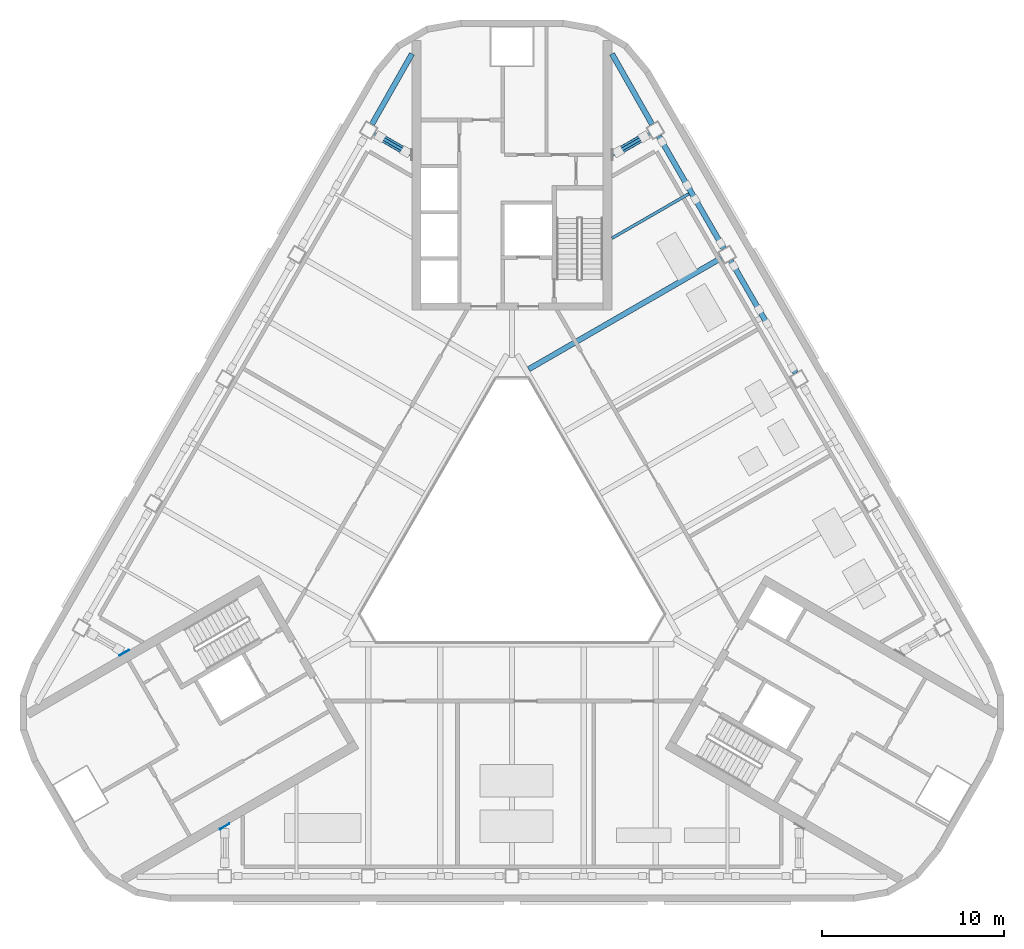
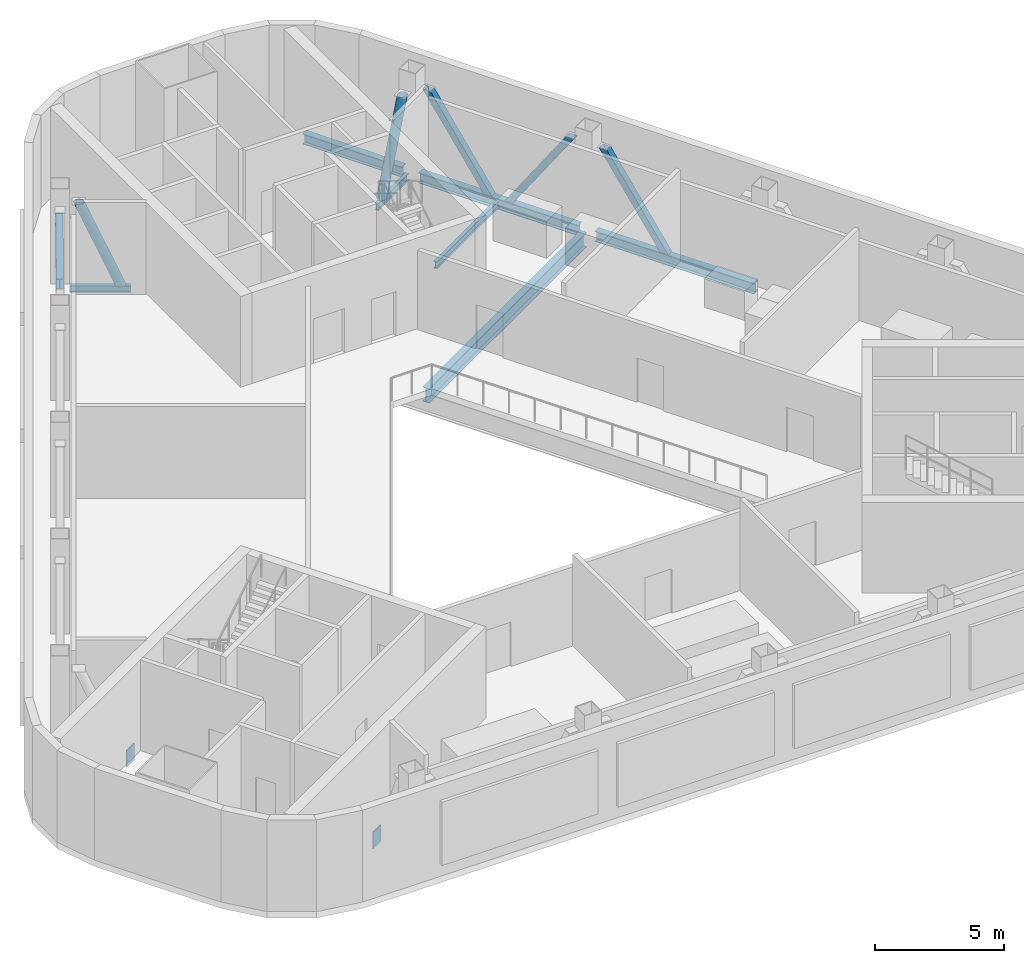
# One storey, part 3 of 14: 8 beams, 5 members, 2 plates.
"""IFC4 building model written with IfcOpenShell, lengths in metres."""

from ifc_helpers import new_model, si_unit, direction, frame, origin, origin_2d, place, context, subcontext, project, spatial, rectangle, hollow_rectangle, hollow_circle, i_section, extrude, boolean, halfspace, material, layer, layer_set, material_profile, profile_set, type_object, element, save


model = new_model("IFC4")

# Units and contexts
model_context = context("Model", 3, precision=1e-05, world=origin(), true_north=direction((0.0, 1.0)))
body_context = subcontext(model_context, "Body", "Model", "MODEL_VIEW")
ifc_project = project(units=[si_unit("LENGTHUNIT", "METRE"), si_unit("AREAUNIT", "SQUARE_METRE"), si_unit("VOLUMEUNIT", "CUBIC_METRE"), si_unit("PLANEANGLEUNIT", "RADIAN"), si_unit("MASSUNIT", "GRAM", prefix="KILO")], contexts=[model_context])

# Site, building, storey
site_placement = place(None, origin())
site = spatial("IfcSite", under=ifc_project, at=site_placement, CompositionType="ELEMENT")
building_placement = place(site_placement, origin())
building = spatial("IfcBuilding", under=site, at=building_placement, Name="Apuvela Tower Hotel", CompositionType="ELEMENT")
storey_placement = place(building_placement, frame((0.0, 0.0, 242.199951171875)))
storey = spatial("IfcBuildingStorey", under=building, at=storey_placement, Name="L59 Plant", CompositionType="ELEMENT", Elevation=242.199951171875)

# Beams
ifc_material = material(Name="Steel S355", Category="steel")
ifc_material_profile_1 = material_profile(ifc_material, i_section(OverallWidth=0.300048828125, OverallDepth=0.68994140625, WebThickness=0.014404296875, FlangeThickness=0.027099609375, at=origin_2d()), Name="HE 700 A")
ifc_profile_set_1 = profile_set([ifc_material_profile_1], Name="Steel S355")
beam_type_1 = type_object("IfcBeamType", Name="STR-B floor beam HE 700 A", PredefinedType="BEAM", material=ifc_profile_set_1)
beam_1_placement = place(storey_placement, frame((11.512939453125, 15.76904296875, -0.64501953125), z_axis=(-0.866030406821, -0.499991334387, 0.0), x_axis=(0.499991334387, -0.866030406821, 0.0)))
element("IfcBeam", 1, at=beam_1_placement, inside=storey, type_object=beam_type_1, Name="Floor beam B6 NE7", PredefinedType="BEAM", context=body_context, shape_type="SweptSolid", body=[
    extrude(i_section(OverallWidth=0.300048828125, OverallDepth=0.68994140625, WebThickness=0.014404296875, FlangeThickness=0.027099609375, at=origin_2d()), origin(), (0.0, 0.0, 1.0), 12.235107421875),
])
ifc_material_profile_2 = material_profile(ifc_material, i_section(OverallWidth=0.159912109375, OverallDepth=0.330078125, WebThickness=0.007568359375, FlangeThickness=0.011474609375, at=origin_2d()), Name="IPE 330")
ifc_profile_set_2 = profile_set([ifc_material_profile_2], Name="Steel S355")
beam_type_2 = type_object("IfcBeamType", Name="STR-B floor beam IPE 330", PredefinedType="BEAM", material=ifc_profile_set_2)
beam_2_placement = place(storey_placement, frame((9.732666015625, 19.302490234375, -0.46484375), z_axis=(-0.866015056278, -0.500017921979, 0.0), x_axis=(0.500017921979, -0.866015056278, 0.0)))
element("IfcBeam", 2, at=beam_2_placement, inside=storey, type_object=beam_type_2, Name="Floor beam B1 NE8", PredefinedType="BEAM", context=body_context, shape_type="SweptSolid", body=[
    extrude(i_section(OverallWidth=0.159912109375, OverallDepth=0.330078125, WebThickness=0.007568359375, FlangeThickness=0.011474609375, at=origin_2d()), origin(), (0.0, 0.0, 1.0), 4.887451171875),
])
for number, where, z_axis, x_axis, name in (
    (3, (7.56298828125, 22.610595703125, -0.46484375), (-0.866052464367, -0.499953126767, 0.0), (0.499953126767, -0.866052464367, 0.0), "Floor beam B1 NE9"),
    (4, (-7.56298828125, 22.610595703125, -0.46484375), (0.866052464367, -0.499953126767, 0.0), (0.499953126767, 0.866052464367, 0.0), "Floor beam B1 NW1"),
):
    element("IfcBeam", number, at=place(storey_placement, frame(where, z_axis=z_axis, x_axis=x_axis)), inside=storey, type_object=beam_type_2, Name=name, PredefinedType="BEAM", context=body_context, shape_type="SweptSolid", body=[
        extrude(i_section(OverallWidth=0.159912109375, OverallDepth=0.330078125, WebThickness=0.007568359375, FlangeThickness=0.011474609375, at=origin_2d()), origin(), (0.0, 0.0, 1.0), 2.382080078125),
    ])
ifc_material_profile_3 = material_profile(ifc_material, i_section(OverallWidth=0.300048828125, OverallDepth=0.489990234375, WebThickness=0.011962890625, FlangeThickness=0.02294921875, at=origin_2d()), Name="HE 500 A")
ifc_profile_set_3 = profile_set([ifc_material_profile_3], Name="Steel S355")
beam_type_3 = type_object("IfcBeamType", Name="STR-SB spandrel beam HE 500 A", PredefinedType="SPANDREL", material=ifc_profile_set_3)
beam_3_placement = place(storey_placement, frame((15.60009765625, 9.439697265625, -0.544921875), z_axis=(-0.499991424076, 0.86603035504, 0.0), x_axis=(-0.86603035504, -0.499991424076, 0.0)))
element("IfcBeam", 5, at=beam_3_placement, inside=storey, type_object=beam_type_3, Name="Spandrel beam SB3 NE3", PredefinedType="SPANDREL", context=body_context, shape_type="SweptSolid", body=[
    extrude(i_section(OverallWidth=0.300048828125, OverallDepth=0.489990234375, WebThickness=0.011962890625, FlangeThickness=0.02294921875, at=origin_2d()), origin(), (0.0, 0.0, 1.0), 7.150146484375),
])
beam_4_placement = place(storey_placement, frame((11.650146484375, 16.281494140625, -0.544921875), z_axis=(-0.500006209673, 0.866021818598, 0.0), x_axis=(-0.866021818598, -0.500006209673, 0.0)))
element("IfcBeam", 6, at=beam_4_placement, inside=storey, type_object=beam_type_3, Name="Spandrel beam SB3 NE4", PredefinedType="SPANDREL", context=body_context, shape_type="SweptSolid", body=[
    extrude(i_section(OverallWidth=0.300048828125, OverallDepth=0.489990234375, WebThickness=0.011962890625, FlangeThickness=0.02294921875, at=origin_2d()), origin(), (0.0, 0.0, 1.0), 7.14990234375),
])
for number, where, z_axis, x_axis, name in (
    (7, (7.702392578125, 23.124267578125, -0.544921875), (-0.494055513212, 0.869430359411, 0.0), (-0.869430359411, -0.494055513212, 0.0), "Spandrel beam SB3 NE5-N"),
    (8, (-7.702392578125, 23.124267578125, -0.544921875), (0.494055513212, 0.869430359411, 0.0), (-0.869430359411, 0.494055513212, 0.0), "Spandrel beam SB3 NW1-N"),
):
    element("IfcBeam", number, at=place(storey_placement, frame(where, z_axis=z_axis, x_axis=x_axis)), inside=storey, type_object=beam_type_3, Name=name, PredefinedType="SPANDREL", context=body_context, shape_type="SweptSolid", body=[
        extrude(i_section(OverallWidth=0.300048828125, OverallDepth=0.489990234375, WebThickness=0.011962890625, FlangeThickness=0.02294921875, at=origin_2d()), origin(), (0.0, 0.0, 1.0), 4.457763671875),
    ])

# Members
ifc_material_profile_4 = material_profile(ifc_material, hollow_rectangle(XDim=0.300048828125, YDim=0.300048828125, WallThickness=0.012451171875, at=origin_2d()), Name="SHS 300x300x12.5")
ifc_profile_set_4 = profile_set([ifc_material_profile_4], Name="Steel S355")
member_type_1 = type_object("IfcMemberType", Name="STR-T2 belt truss diagonal SHS 300x300x12.5", PredefinedType="BRACE", material=ifc_profile_set_4)
member_1_placement = place(storey_placement, frame((13.587646484375, 12.925537109375, -0.300048828125), z_axis=(-0.282608316756, 0.489479792685, 0.824949738987), x_axis=(0.412482561349, -0.714422989857, 0.565206093515)))
solid_1 = boolean("DIFFERENCE", boolean("DIFFERENCE", extrude(hollow_rectangle(XDim=0.300048828125, YDim=0.300048828125, WallThickness=0.012451171875, at=origin_2d()), frame((0.0, 0.0, -0.222900390625)), (0.0, 0.0, 1.0), 5.35498046875), halfspace(frame((0.0, 0.0, 0.0244140625), z_axis=(0.565206093515, 0.0, 0.824949738987), x_axis=(0.824949738987, 0.0, -0.565206093515)), True)), halfspace(frame((0.0, 0.0, 4.88525390625), z_axis=(0.565206093515, 0.0, 0.824949738987), x_axis=(0.824949738987, 0.0, -0.565206093515)), False))
element("IfcMember", 9, at=member_1_placement, inside=storey, type_object=member_type_1, Name="Belt truss diagonal BR3 NE3", PredefinedType="BRACE", context=body_context, shape_type="SweptSolid", body=[
    boolean("UNION", boolean("DIFFERENCE", boolean("DIFFERENCE", extrude(hollow_rectangle(XDim=0.300048828125, YDim=0.300048828125, WallThickness=0.012451171875, at=origin_2d()), origin(), (0.0, 0.0, 1.0), 4.909423828125), halfspace(frame((0.0, 0.0, 0.0244140625), z_axis=(0.565206093515, 0.0, 0.824949738987), x_axis=(0.824949738987, 0.0, -0.565206093515)), True)), halfspace(frame((0.0, 0.0, 4.88525390625), z_axis=(0.565206093515, 0.0, 0.824949738987), x_axis=(0.824949738987, 0.0, -0.565206093515)), False)), solid_1),
])
member_2_placement = place(storey_placement, frame((10.087646484375, 18.98779296875, -0.300048828125), z_axis=(0.282601437631, -0.489517605497, 0.82492965843), x_axis=(-0.412441094398, 0.714423743313, 0.565235401087)))
solid_2 = boolean("DIFFERENCE", boolean("DIFFERENCE", extrude(hollow_rectangle(XDim=0.300048828125, YDim=0.300048828125, WallThickness=0.012451171875, at=origin_2d()), frame((0.0, 0.0, -0.222900390625)), (0.0, 0.0, 1.0), 5.355224609375), halfspace(frame((0.0, 0.0, 0.0244140625), z_axis=(0.565235401087, 0.0, 0.82492965843), x_axis=(0.82492965843, 0.0, -0.565235401087)), True)), halfspace(frame((0.0, 0.0, 4.885498046875), z_axis=(0.565235401087, 0.0, 0.82492965843), x_axis=(0.82492965843, 0.0, -0.565235401087)), False))
element("IfcMember", 10, at=member_2_placement, inside=storey, type_object=member_type_1, Name="Belt truss diagonal BR3 NE4", PredefinedType="BRACE", context=body_context, shape_type="SweptSolid", body=[
    boolean("UNION", boolean("DIFFERENCE", boolean("DIFFERENCE", extrude(hollow_rectangle(XDim=0.300048828125, YDim=0.300048828125, WallThickness=0.012451171875, at=origin_2d()), origin(), (0.0, 0.0, 1.0), 4.90966796875), halfspace(frame((0.0, 0.0, 0.0244140625), z_axis=(0.565235401087, 0.0, 0.82492965843), x_axis=(0.82492965843, 0.0, -0.565235401087)), True)), halfspace(frame((0.0, 0.0, 4.885498046875), z_axis=(0.565235401087, 0.0, 0.82492965843), x_axis=(0.82492965843, 0.0, -0.565235401087)), False)), solid_2),
])
member_3_placement = place(storey_placement, frame((9.6376953125, 19.76708984375, -0.300048828125), z_axis=(-0.282647192759, 0.489510725813, 0.824918064864), x_axis=(0.412489726583, -0.714382278057, 0.565252320881)))
solid_3 = boolean("DIFFERENCE", boolean("DIFFERENCE", extrude(hollow_rectangle(XDim=0.300048828125, YDim=0.300048828125, WallThickness=0.012451171875, at=origin_2d()), frame((0.0, 0.0, -0.222900390625)), (0.0, 0.0, 1.0), 5.355224609375), halfspace(frame((0.0, 0.0, 0.0244140625), z_axis=(0.565252320881, 0.0, 0.824918064864), x_axis=(0.824918064864, 0.0, -0.565252320881)), True)), halfspace(frame((0.0, 0.0, 4.885498046875), z_axis=(0.565252320881, 0.0, 0.824918064864), x_axis=(0.824918064864, 0.0, -0.565252320881)), False))
element("IfcMember", 11, at=member_3_placement, inside=storey, type_object=member_type_1, Name="Belt truss diagonal BR3 NE4", PredefinedType="BRACE", context=body_context, shape_type="SweptSolid", body=[
    boolean("UNION", boolean("DIFFERENCE", boolean("DIFFERENCE", extrude(hollow_rectangle(XDim=0.300048828125, YDim=0.300048828125, WallThickness=0.012451171875, at=origin_2d()), origin(), (0.0, 0.0, 1.0), 4.90966796875), halfspace(frame((0.0, 0.0, 0.0244140625), z_axis=(0.565252320881, 0.0, 0.824918064864), x_axis=(0.824918064864, 0.0, -0.565252320881)), True)), halfspace(frame((0.0, 0.0, 4.885498046875), z_axis=(0.565252320881, 0.0, 0.824918064864), x_axis=(0.824918064864, 0.0, -0.565252320881)), False)), solid_3),
])
ifc_material_profile_5 = material_profile(ifc_material, hollow_circle(Radius=0.203125, WallThickness=0.01611328125, at=origin_2d()), Name="CHS 406.4x16")
ifc_profile_set_5 = profile_set([ifc_material_profile_5], Name="Steel S355")
member_type_2 = type_object("IfcMemberType", Name="STR-T2 outrigger truss diagonal CHS 406.4x16", PredefinedType="BRACE", material=ifc_profile_set_5)
member_4_placement = place(storey_placement, frame((5.843017578125, 21.617919921875, -0.300048828125), z_axis=(0.33136220297, 0.191291294149, 0.923908399802), x_axis=(-0.800149854011, -0.461916596749, 0.382613733123)))
solid_4 = boolean("DIFFERENCE", boolean("DIFFERENCE", extrude(hollow_circle(Radius=0.203125, WallThickness=0.01611328125, at=origin_2d()), frame((0.0, 0.0, -0.2041015625)), (0.0, 0.0, 1.0), 4.683837890625), halfspace(frame((0.0, 0.0, 0.021728515625), z_axis=(0.382613733123, 0.0, 0.923908399802), x_axis=(0.923908399802, 0.0, -0.382613733123)), True)), halfspace(frame((0.0, 0.0, 4.253662109375), z_axis=(0.382613733123, 0.0, 0.923908399802), x_axis=(0.923908399802, 0.0, -0.382613733123)), False))
element("IfcMember", 12, at=member_4_placement, inside=storey, type_object=member_type_2, Name="Outrigger diagonal OD3 NE5", PredefinedType="BRACE", context=body_context, shape_type="SweptSolid", body=[
    boolean("UNION", boolean("DIFFERENCE", boolean("DIFFERENCE", extrude(hollow_circle(Radius=0.203125, WallThickness=0.01611328125, at=origin_2d()), origin(), (0.0, 0.0, 1.0), 4.275634765625), halfspace(frame((0.0, 0.0, 0.021728515625), z_axis=(0.382613733123, 0.0, 0.923908399802), x_axis=(0.923908399802, 0.0, -0.382613733123)), True)), halfspace(frame((0.0, 0.0, 4.253662109375), z_axis=(0.382613733123, 0.0, 0.923908399802), x_axis=(0.923908399802, 0.0, -0.382613733123)), False)), solid_4),
])
member_5_placement = place(storey_placement, frame((-5.843017578125, 21.617919921875, -0.300048828125), z_axis=(-0.33136220297, 0.191291294149, 0.923908399802), x_axis=(0.800149854011, -0.461916596749, 0.382613733123)))
solid_5 = boolean("DIFFERENCE", boolean("DIFFERENCE", extrude(hollow_circle(Radius=0.203125, WallThickness=0.01611328125, at=origin_2d()), frame((0.0, 0.0, -0.2041015625)), (0.0, 0.0, 1.0), 4.683837890625), halfspace(frame((0.0, 0.0, 0.021728515625), z_axis=(0.382613733123, 0.0, 0.923908399802), x_axis=(0.923908399802, 0.0, -0.382613733123)), True)), halfspace(frame((0.0, 0.0, 4.253662109375), z_axis=(0.382613733123, 0.0, 0.923908399802), x_axis=(0.923908399802, 0.0, -0.382613733123)), False))
element("IfcMember", 13, at=member_5_placement, inside=storey, type_object=member_type_2, Name="Outrigger diagonal OD3 NW1", PredefinedType="BRACE", context=body_context, shape_type="SweptSolid", body=[
    boolean("UNION", boolean("DIFFERENCE", boolean("DIFFERENCE", extrude(hollow_circle(Radius=0.203125, WallThickness=0.01611328125, at=origin_2d()), origin(), (0.0, 0.0, 1.0), 4.275634765625), halfspace(frame((0.0, 0.0, 0.021728515625), z_axis=(0.382613733123, 0.0, 0.923908399802), x_axis=(0.923908399802, 0.0, -0.382613733123)), True)), halfspace(frame((0.0, 0.0, 4.253662109375), z_axis=(0.382613733123, 0.0, 0.923908399802), x_axis=(0.923908399802, 0.0, -0.382613733123)), False)), solid_5),
])

# Plates
ifc_layer = layer(ifc_material, 0.0400390625)
ifc_layer_set = layer_set([ifc_layer], Name="STR-CP 40 Steel S355")
plate_type = type_object("IfcPlateType", Name="STR-CP 40 Steel S355", PredefinedType="SHEET", material=ifc_layer_set)
for number, where, z_axis, x_axis, name in (
    (14, (-21.330078125, -5.94091796875, -0.86474609375), (0.0, 0.0, 1.0), (0.5, -0.866025403784, 0.0), "Cast-in plate CP-T2-88 40"),
    (15, (-15.81005859375, -15.501953125, -0.86474609375), (0.0, 0.0, 1.0), (-0.5, 0.866025403784, 0.0), "Cast-in plate CP-T2-89 40"),
):
    element("IfcPlate", number, at=place(storey_placement, frame(where, z_axis=z_axis, x_axis=x_axis)), inside=storey, type_object=plate_type, Name=name, PredefinedType="SHEET", context=body_context, shape_type="SweptSolid", body=[
        extrude(rectangle(XDim=0.0400390625, YDim=0.60009765625, at=origin_2d()), origin(), (0.0, 0.0, 1.0), 0.800048828125),
    ])

save(model, "model.ifc")
